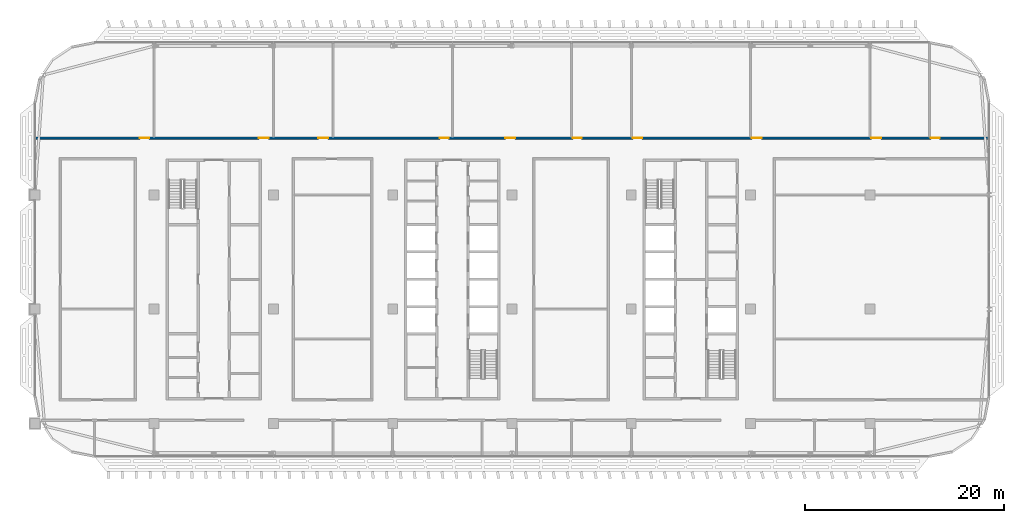
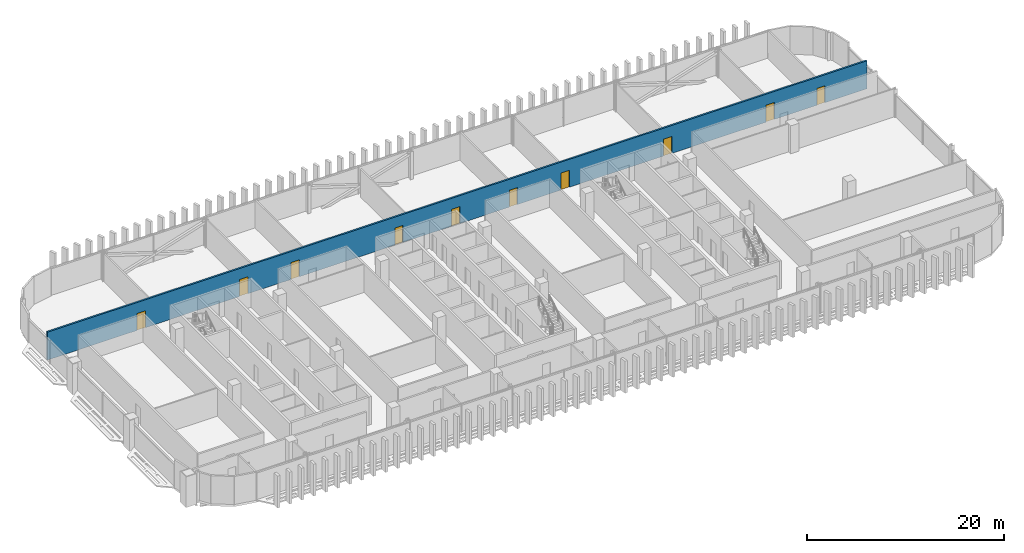
# One storey, part 20 of 35: 10 doors, 1 wall, 10 openings.
"""IFC4 building model written with IfcOpenShell, lengths in metres."""

from ifc_helpers import new_model, si_unit, direction, frame, frame_2d, origin, place, context, subcontext, project, spatial, rectangle, extrude, material, layer, layer_set, type_object, element, fill, save


model = new_model("IFC4")

# Units and contexts
model_context = context("Model", 3, precision=1e-05, world=origin(), true_north=direction((0.0, 1.0)))
body_context = subcontext(model_context, "Body", "Model", "MODEL_VIEW")
ifc_project = project(units=[si_unit("LENGTHUNIT", "METRE"), si_unit("AREAUNIT", "SQUARE_METRE"), si_unit("VOLUMEUNIT", "CUBIC_METRE"), si_unit("PLANEANGLEUNIT", "RADIAN"), si_unit("MASSUNIT", "GRAM", prefix="KILO")], contexts=[model_context])

# Site, building, storey
site_placement = place(None, origin())
site = spatial("IfcSite", under=ifc_project, at=site_placement, CompositionType="ELEMENT")
building_placement = place(site_placement, origin())
building = spatial("IfcBuilding", under=site, at=building_placement, Name="Mahtab Terrace Research Tower", CompositionType="ELEMENT")
storey_placement = place(building_placement, frame((0.0, 0.0, 251.39990234375)))
storey = spatial("IfcBuildingStorey", under=building, at=storey_placement, Name="L61", CompositionType="ELEMENT", Elevation=251.39990234375)

# Wall, openings, doors
ifc_material_1 = material(Name="Gypsum board corridor wall on steel studs", Category="steel")
ifc_layer = layer(ifc_material_1, 0.199951171875)
ifc_layer_set = layer_set([ifc_layer], Name="WALL CORRIDOR 200")
wall_type = type_object("IfcWallType", Name="WALL CORRIDOR 200", PredefinedType="PARTITIONING", material=ifc_layer_set)
wall_placement = place(storey_placement, frame((-41.97509765625, 17.199951171875, 0.0), z_axis=(0.0, 0.0, 1.0), x_axis=(1.0, 0.0, 0.0)))
wall = element("IfcWall", 1, at=wall_placement, inside=storey, type_object=wall_type, Name="L61-W024", PredefinedType="PARTITIONING", context=body_context, shape_type="SweptSolid", body=[
    extrude(rectangle(XDim=95.9501953125, YDim=0.199951171875, at=frame_2d((47.97509765625, 0.0))), origin(), (0.0, 0.0, 1.0), 3.460205078125),
])
opening_1_placement = place(wall_placement, frame((10.5, 0.0, 0.0)))
opening_1 = element("IfcOpeningElement", 2, at=opening_1_placement, cuts=wall, Name="Opening L61-124", PredefinedType="OPENING", context=body_context, shape_type="SweptSolid", body=[
    extrude(rectangle(XDim=1.0, YDim=2.10009765625, at=frame_2d((0.5, 1.050048828125))), frame((0.0, 0.10986328125, 0.0), z_axis=(0.0, -1.0, 0.0), x_axis=(1.0, 0.0, 0.0)), (0.0, 0.0, 1.0), 0.219970703125),
])
opening_2_placement = place(wall_placement, frame((22.5, 0.0, 0.0)))
opening_2 = element("IfcOpeningElement", 3, at=opening_2_placement, cuts=wall, Name="Opening L61-125", PredefinedType="OPENING", context=body_context, shape_type="SweptSolid", body=[
    extrude(rectangle(XDim=1.0, YDim=2.10009765625, at=frame_2d((0.5, 1.050048828125))), frame((0.0, 0.10986328125, 0.0), z_axis=(0.0, -1.0, 0.0), x_axis=(1.0, 0.0, 0.0)), (0.0, 0.0, 1.0), 0.219970703125),
])
opening_3_placement = place(wall_placement, frame((28.5, 0.0, 0.0)))
opening_3 = element("IfcOpeningElement", 4, at=opening_3_placement, cuts=wall, Name="Opening L61-126", PredefinedType="OPENING", context=body_context, shape_type="SweptSolid", body=[
    extrude(rectangle(XDim=1.0, YDim=2.10009765625, at=frame_2d((0.5, 1.050048828125))), frame((0.0, 0.10986328125, 0.0), z_axis=(0.0, -1.0, 0.0), x_axis=(1.0, 0.0, 0.0)), (0.0, 0.0, 1.0), 0.219970703125),
])
opening_4_placement = place(wall_placement, frame((40.699951171875, 0.0, 0.0)))
opening_4 = element("IfcOpeningElement", 5, at=opening_4_placement, cuts=wall, Name="Opening L61-127", PredefinedType="OPENING", context=body_context, shape_type="SweptSolid", body=[
    extrude(rectangle(XDim=0.89990234375, YDim=2.10009765625, at=frame_2d((0.449951171875, 1.050048828125))), frame((0.0, 0.10986328125, 0.0), z_axis=(0.0, -1.0, 0.0), x_axis=(1.0, 0.0, 0.0)), (0.0, 0.0, 1.0), 0.219970703125),
])
opening_5_placement = place(wall_placement, frame((47.300048828125, 0.0, 0.0)))
opening_5 = element("IfcOpeningElement", 6, at=opening_5_placement, cuts=wall, Name="Opening L61-128", PredefinedType="OPENING", context=body_context, shape_type="SweptSolid", body=[
    extrude(rectangle(XDim=1.0, YDim=2.10009765625, at=frame_2d((0.5, 1.050048828125))), frame((0.0, 0.10986328125, 0.0), z_axis=(0.0, -1.0, 0.0), x_axis=(1.0, 0.0, 0.0)), (0.0, 0.0, 1.0), 0.219970703125),
])
opening_6_placement = place(wall_placement, frame((54.10009765625, 0.0, 0.0)))
opening_6 = element("IfcOpeningElement", 7, at=opening_6_placement, cuts=wall, Name="Opening L61-129", PredefinedType="OPENING", context=body_context, shape_type="SweptSolid", body=[
    extrude(rectangle(XDim=0.89990234375, YDim=2.10009765625, at=frame_2d((0.449951171875, 1.050048828125))), frame((0.0, 0.10986328125, 0.0), z_axis=(0.0, -1.0, 0.0), x_axis=(1.0, 0.0, 0.0)), (0.0, 0.0, 1.0), 0.219970703125),
])
opening_7_placement = place(wall_placement, frame((60.10009765625, 0.0, 0.0)))
opening_7 = element("IfcOpeningElement", 8, at=opening_7_placement, cuts=wall, Name="Opening L61-130", PredefinedType="OPENING", context=body_context, shape_type="SweptSolid", body=[
    extrude(rectangle(XDim=1.0, YDim=2.10009765625, at=frame_2d((0.5, 1.050048828125))), frame((0.0, 0.10986328125, 0.0), z_axis=(0.0, -1.0, 0.0), x_axis=(1.0, 0.0, 0.0)), (0.0, 0.0, 1.0), 0.219970703125),
])
opening_8_placement = place(wall_placement, frame((72.10009765625, 0.0, 0.0)))
opening_8 = element("IfcOpeningElement", 9, at=opening_8_placement, cuts=wall, Name="Opening L61-131", PredefinedType="OPENING", context=body_context, shape_type="SweptSolid", body=[
    extrude(rectangle(XDim=1.0, YDim=2.10009765625, at=frame_2d((0.5, 1.050048828125))), frame((0.0, 0.10986328125, 0.0), z_axis=(0.0, -1.0, 0.0), x_axis=(1.0, 0.0, 0.0)), (0.0, 0.0, 1.0), 0.219970703125),
])
opening_9_placement = place(wall_placement, frame((84.10009765625, 0.0, 0.0)))
opening_9 = element("IfcOpeningElement", 10, at=opening_9_placement, cuts=wall, Name="Opening L61-132", PredefinedType="OPENING", context=body_context, shape_type="SweptSolid", body=[
    extrude(rectangle(XDim=1.0, YDim=2.10009765625, at=frame_2d((0.5, 1.050048828125))), frame((0.0, 0.10986328125, 0.0), z_axis=(0.0, -1.0, 0.0), x_axis=(1.0, 0.0, 0.0)), (0.0, 0.0, 1.0), 0.219970703125),
])
opening_10_placement = place(wall_placement, frame((90.10009765625, 0.0, 0.0)))
opening_10 = element("IfcOpeningElement", 11, at=opening_10_placement, cuts=wall, Name="Opening L61-133", PredefinedType="OPENING", context=body_context, shape_type="SweptSolid", body=[
    extrude(rectangle(XDim=0.89990234375, YDim=2.10009765625, at=frame_2d((0.449951171875, 1.050048828125))), frame((0.0, 0.10986328125, 0.0), z_axis=(0.0, -1.0, 0.0), x_axis=(1.0, 0.0, 0.0)), (0.0, 0.0, 1.0), 0.219970703125),
])
ifc_material_2 = material(Name="Timber door leaf in steel frame", Category="steel")
door_type_1 = type_object("IfcDoorType", Name="DOOR 0900X2100 FD30S", OperationType="SINGLE_SWING_LEFT", PredefinedType="DOOR", material=ifc_material_2)
door_1_placement = place(opening_4_placement, origin())
door_1 = element("IfcDoor", 12, at=door_1_placement, inside=storey, type_object=door_type_1, Name="Door L61-127", OperationType="SINGLE_SWING_LEFT", OverallHeight=2.10009765625, OverallWidth=0.89990234375, PredefinedType="DOOR", context=body_context, shape_type="SweptSolid", body=[
    extrude(rectangle(XDim=0.89990234375, YDim=2.10009765625, at=frame_2d((0.449951171875, 1.050048828125))), frame((0.0, 0.02490234375, 0.0), z_axis=(0.0, -1.0, 0.0), x_axis=(1.0, 0.0, 0.0)), (0.0, 0.0, 1.0), 0.050048828125),
])
fill(opening_4, door_1)
door_2_placement = place(opening_6_placement, origin())
door_2 = element("IfcDoor", 13, at=door_2_placement, inside=storey, type_object=door_type_1, Name="Door L61-129", OperationType="SINGLE_SWING_RIGHT", OverallHeight=2.10009765625, OverallWidth=0.89990234375, PredefinedType="DOOR", context=body_context, shape_type="SweptSolid", body=[
    extrude(rectangle(XDim=0.89990234375, YDim=2.10009765625, at=frame_2d((0.449951171875, 1.050048828125))), frame((0.0, 0.02490234375, 0.0), z_axis=(0.0, -1.0, 0.0), x_axis=(1.0, 0.0, 0.0)), (0.0, 0.0, 1.0), 0.050048828125),
])
fill(opening_6, door_2)
door_3_placement = place(opening_10_placement, origin())
door_3 = element("IfcDoor", 14, at=door_3_placement, inside=storey, type_object=door_type_1, Name="Door L61-133", OperationType="SINGLE_SWING_RIGHT", OverallHeight=2.10009765625, OverallWidth=0.89990234375, PredefinedType="DOOR", context=body_context, shape_type="SweptSolid", body=[
    extrude(rectangle(XDim=0.89990234375, YDim=2.10009765625, at=frame_2d((0.449951171875, 1.050048828125))), frame((0.0, 0.02490234375, 0.0), z_axis=(0.0, -1.0, 0.0), x_axis=(1.0, 0.0, 0.0)), (0.0, 0.0, 1.0), 0.050048828125),
])
fill(opening_10, door_3)
door_type_2 = type_object("IfcDoorType", Name="DOOR 1000X2100 FD30S", OperationType="SINGLE_SWING_LEFT", PredefinedType="DOOR", material=ifc_material_2)
door_4_placement = place(opening_1_placement, origin())
door_4 = element("IfcDoor", 15, at=door_4_placement, inside=storey, type_object=door_type_2, Name="Door L61-124", OperationType="SINGLE_SWING_LEFT", OverallHeight=2.10009765625, OverallWidth=1.0, PredefinedType="DOOR", context=body_context, shape_type="SweptSolid", body=[
    extrude(rectangle(XDim=1.0, YDim=2.10009765625, at=frame_2d((0.5, 1.050048828125))), frame((0.0, 0.02490234375, 0.0), z_axis=(0.0, -1.0, 0.0), x_axis=(1.0, 0.0, 0.0)), (0.0, 0.0, 1.0), 0.050048828125),
])
fill(opening_1, door_4)
door_5_placement = place(opening_2_placement, origin())
door_5 = element("IfcDoor", 16, at=door_5_placement, inside=storey, type_object=door_type_2, Name="Door L61-125", OperationType="SINGLE_SWING_LEFT", OverallHeight=2.10009765625, OverallWidth=1.0, PredefinedType="DOOR", context=body_context, shape_type="SweptSolid", body=[
    extrude(rectangle(XDim=1.0, YDim=2.10009765625, at=frame_2d((0.5, 1.050048828125))), frame((0.0, 0.02490234375, 0.0), z_axis=(0.0, -1.0, 0.0), x_axis=(1.0, 0.0, 0.0)), (0.0, 0.0, 1.0), 0.050048828125),
])
fill(opening_2, door_5)
door_6_placement = place(opening_3_placement, origin())
door_6 = element("IfcDoor", 17, at=door_6_placement, inside=storey, type_object=door_type_2, Name="Door L61-126", OperationType="SINGLE_SWING_LEFT", OverallHeight=2.10009765625, OverallWidth=1.0, PredefinedType="DOOR", context=body_context, shape_type="SweptSolid", body=[
    extrude(rectangle(XDim=1.0, YDim=2.10009765625, at=frame_2d((0.5, 1.050048828125))), frame((0.0, 0.02490234375, 0.0), z_axis=(0.0, -1.0, 0.0), x_axis=(1.0, 0.0, 0.0)), (0.0, 0.0, 1.0), 0.050048828125),
])
fill(opening_3, door_6)
door_7_placement = place(opening_5_placement, origin())
door_7 = element("IfcDoor", 18, at=door_7_placement, inside=storey, type_object=door_type_2, Name="Door L61-128", OperationType="SINGLE_SWING_LEFT", OverallHeight=2.10009765625, OverallWidth=1.0, PredefinedType="DOOR", context=body_context, shape_type="SweptSolid", body=[
    extrude(rectangle(XDim=1.0, YDim=2.10009765625, at=frame_2d((0.5, 1.050048828125))), frame((0.0, 0.02490234375, 0.0), z_axis=(0.0, -1.0, 0.0), x_axis=(1.0, 0.0, 0.0)), (0.0, 0.0, 1.0), 0.050048828125),
])
fill(opening_5, door_7)
door_8_placement = place(opening_7_placement, origin())
door_8 = element("IfcDoor", 19, at=door_8_placement, inside=storey, type_object=door_type_2, Name="Door L61-130", OperationType="SINGLE_SWING_RIGHT", OverallHeight=2.10009765625, OverallWidth=1.0, PredefinedType="DOOR", context=body_context, shape_type="SweptSolid", body=[
    extrude(rectangle(XDim=1.0, YDim=2.10009765625, at=frame_2d((0.5, 1.050048828125))), frame((0.0, 0.02490234375, 0.0), z_axis=(0.0, -1.0, 0.0), x_axis=(1.0, 0.0, 0.0)), (0.0, 0.0, 1.0), 0.050048828125),
])
fill(opening_7, door_8)
door_9_placement = place(opening_8_placement, origin())
door_9 = element("IfcDoor", 20, at=door_9_placement, inside=storey, type_object=door_type_2, Name="Door L61-131", OperationType="SINGLE_SWING_RIGHT", OverallHeight=2.10009765625, OverallWidth=1.0, PredefinedType="DOOR", context=body_context, shape_type="SweptSolid", body=[
    extrude(rectangle(XDim=1.0, YDim=2.10009765625, at=frame_2d((0.5, 1.050048828125))), frame((0.0, 0.02490234375, 0.0), z_axis=(0.0, -1.0, 0.0), x_axis=(1.0, 0.0, 0.0)), (0.0, 0.0, 1.0), 0.050048828125),
])
fill(opening_8, door_9)
door_10_placement = place(opening_9_placement, origin())
door_10 = element("IfcDoor", 21, at=door_10_placement, inside=storey, type_object=door_type_2, Name="Door L61-132", OperationType="SINGLE_SWING_RIGHT", OverallHeight=2.10009765625, OverallWidth=1.0, PredefinedType="DOOR", context=body_context, shape_type="SweptSolid", body=[
    extrude(rectangle(XDim=1.0, YDim=2.10009765625, at=frame_2d((0.5, 1.050048828125))), frame((0.0, 0.02490234375, 0.0), z_axis=(0.0, -1.0, 0.0), x_axis=(1.0, 0.0, 0.0)), (0.0, 0.0, 1.0), 0.050048828125),
])
fill(opening_9, door_10)

save(model, "model.ifc")
